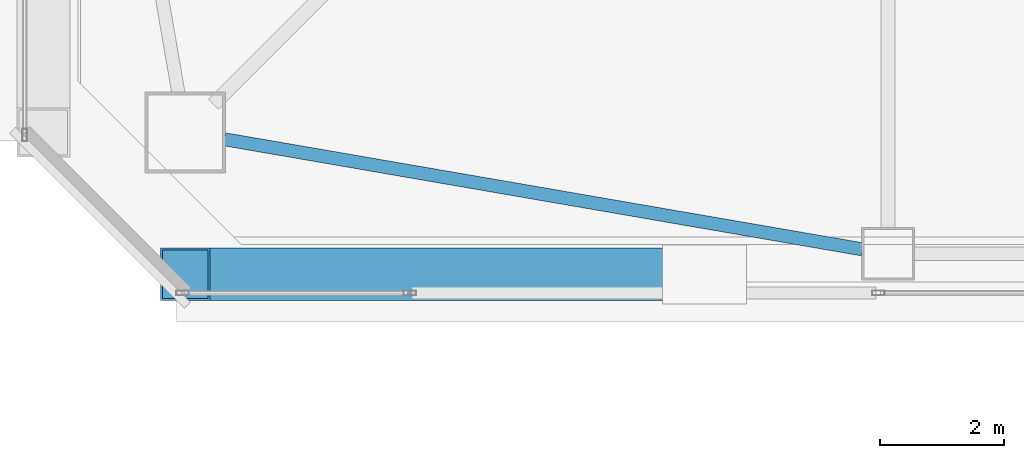
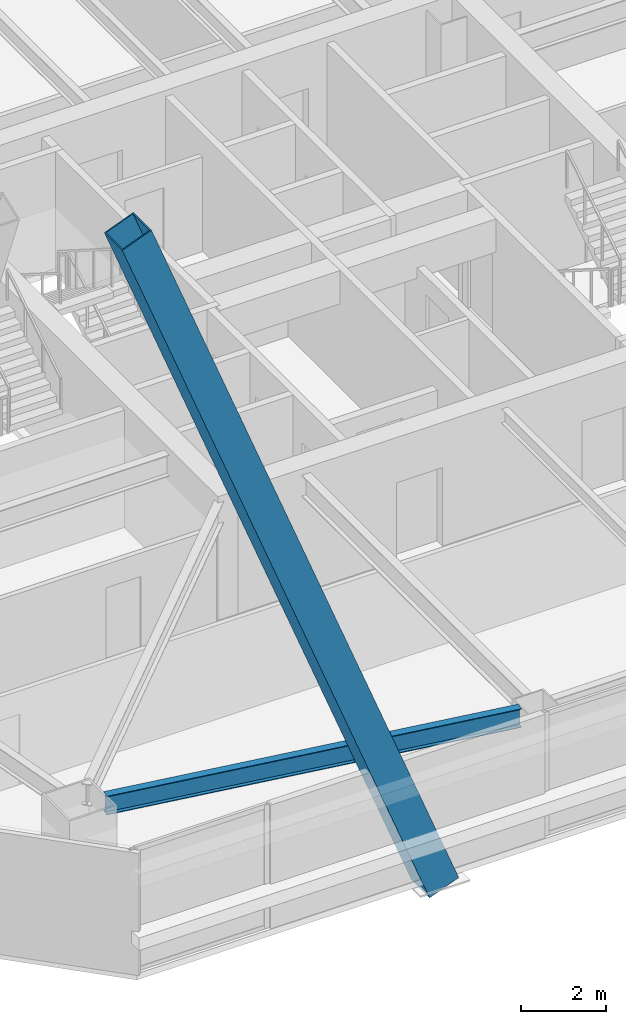
# One storey, part 4 of 54: 1 beam, 1 member.
"""IFC4 building model written with IfcOpenShell, lengths in metres."""

import ifcopenshell
import ifcopenshell.guid

model = None  # the IFC model being written
_history = None  # IfcOwnerHistory: only IFC2X3 demands one
_inside = {}  # id of a spatial element -> (the spatial element, [elements in it])
_under = {}  # id of a project, library or spatial element -> (it, [spatial elements below it])
_declared = {}  # id of a project -> (the project, [libraries it declares])
_typed = {}  # id of a type object -> (the type object, [elements of that type])
_made_of = {}  # id of a material, layer set ... -> (it, [elements and type objects made of it])


def new_model(schema):
    """Start an empty IFC model of exactly this schema.

    Asked for "IFC4X3", IfcOpenShell would pick the latest addendum, in which some entities
    have other attributes; the version numbers below select the first issue.
    IFC2X3 requires an IfcOwnerHistory on every rooted entity: one is made here for all.
    """
    global model, _history
    if schema == "IFC4X3":
        model = ifcopenshell.file(schema_version=(4, 3, 0, 0))
    else:
        model = ifcopenshell.file(schema=schema)
    _inside.clear()
    _under.clear()
    _declared.clear()
    _typed.clear()
    _made_of.clear()
    _history = None
    if model.schema == "IFC2X3":
        org = make("IfcOrganization", Name="unknown")
        user = make(
            "IfcPersonAndOrganization",
            ThePerson=make("IfcPerson", FamilyName="unknown"),
            TheOrganization=org,
        )
        app = make(
            "IfcApplication",
            ApplicationDeveloper=org,
            Version="unknown",
            ApplicationFullName="unknown",
            ApplicationIdentifier="unknown",
        )
        _history = make(
            "IfcOwnerHistory",
            OwningUser=user,
            OwningApplication=app,
            ChangeAction="ADDED",
            CreationDate=0,
        )
    return model


def make(cls, **values):
    """One entity of the class cls with the attributes given. An attribute that is None is left unset."""
    return model.create_entity(
        cls, **{name: value for name, value in values.items() if value is not None}
    )


def rooted(cls, **values):
    """An entity with a GlobalId (a new one), such as an element, a storey or a relation."""
    return make(cls, GlobalId=ifcopenshell.guid.new(), OwnerHistory=_history, **values)


def si_unit(unit_type, name, prefix=None):
    """IfcSIUnit, for example si_unit("LENGTHUNIT", "METRE", prefix="MILLI")."""
    return make("IfcSIUnit", UnitType=unit_type, Prefix=prefix, Name=name)


def assignment(units):
    """IfcUnitAssignment: the units of a project."""
    return None if units is None else make("IfcUnitAssignment", Units=units)


def point(xyz):
    """IfcCartesianPoint."""
    return None if xyz is None else make("IfcCartesianPoint", Coordinates=xyz)


def direction(xyz):
    """IfcDirection."""
    return None if xyz is None else make("IfcDirection", DirectionRatios=xyz)


def frame(location, z_axis=None, x_axis=None):
    """IfcAxis2Placement3D, a coordinate frame: its origin and axes. An axis left out is left unset."""
    return make(
        "IfcAxis2Placement3D",
        Location=point(location),
        Axis=direction(z_axis),
        RefDirection=direction(x_axis),
    )


def frame_2d(location, x_axis=None):
    """IfcAxis2Placement2D, a coordinate frame in the plane: its origin and x axis."""
    return make(
        "IfcAxis2Placement2D", Location=point(location), RefDirection=direction(x_axis)
    )


def origin():
    """The frame at (0, 0, 0) with its axes left unset."""
    return frame((0.0, 0.0, 0.0))


def origin_2d():
    """The frame at (0, 0) in the plane with its x axis left unset."""
    return frame_2d((0.0, 0.0))


def place(relative_to, where):
    """IfcLocalPlacement: puts the frame where relative to a parent placement (None: the world)."""
    return make(
        "IfcLocalPlacement", PlacementRelTo=relative_to, RelativePlacement=where
    )


def context(
    kind, dimensions, precision=None, world=None, true_north=None, identifier=None
):
    """IfcGeometricRepresentationContext, for example the 3D "Model" context."""
    return make(
        "IfcGeometricRepresentationContext",
        ContextIdentifier=identifier,
        ContextType=kind,
        CoordinateSpaceDimension=dimensions,
        Precision=precision,
        WorldCoordinateSystem=world,
        TrueNorth=true_north,
    )


def subcontext(parent, identifier, kind, view, scale=None):
    """IfcGeometricRepresentationSubContext, for example "Body" below "Model"."""
    return make(
        "IfcGeometricRepresentationSubContext",
        ContextIdentifier=identifier,
        ContextType=kind,
        ParentContext=parent,
        TargetScale=scale,
        TargetView=view,
    )


def project(units=None, contexts=None):
    """IfcProject with its units and contexts."""
    return rooted(
        "IfcProject",
        Name="project",
        RepresentationContexts=contexts,
        UnitsInContext=assignment(units),
    )


def spatial(cls, under=None, at=None, **own):
    """A site, building, storey or space (cls), placed at a placement, below another one or the project."""
    s = rooted(cls, ObjectPlacement=at, **own)
    if under is not None:
        _under.setdefault(under.id(), (under, []))[1].append(s)
    return s


def profile(cls, at=None, kind="AREA", **sizes):
    """A parametric profile (cls). Its sizes go by their IFC names, for example OverallWidth=200.0."""
    return make(cls, ProfileType=kind, Position=at, **sizes)


def hollow_rectangle(**sizes):
    """IfcRectangleHollowProfileDef."""
    return profile("IfcRectangleHollowProfileDef", **sizes)


def i_section(**sizes):
    """IfcIShapeProfileDef."""
    return profile("IfcIShapeProfileDef", **sizes)


def extrude(swept, where, along, depth):
    """IfcExtrudedAreaSolid: the profile swept, set in the frame where, extruded along a direction by depth."""
    return make(
        "IfcExtrudedAreaSolid",
        SweptArea=swept,
        Position=where,
        ExtrudedDirection=direction(along),
        Depth=depth,
    )


def shape(context_of_items, identifier, shape_type, items):
    """IfcShapeRepresentation: the items that make up one representation, for example the "Body"."""
    return make(
        "IfcShapeRepresentation",
        ContextOfItems=context_of_items,
        RepresentationIdentifier=identifier,
        RepresentationType=shape_type,
        Items=items,
    )


def material(Name=None, Category=None):
    """IfcMaterial."""
    return make("IfcMaterial", Name=Name, Category=Category)


def material_profile(
    of_material, cross_section, Name=None, Category=None, Priority=None
):
    """IfcMaterialProfile: a cross section and its material."""
    return make(
        "IfcMaterialProfile",
        Name=Name,
        Material=of_material,
        Profile=cross_section,
        Priority=Priority,
        Category=Category,
    )


def profile_set(profiles, Name=None, composite=None):
    """IfcMaterialProfileSet."""
    return make(
        "IfcMaterialProfileSet",
        Name=Name,
        MaterialProfiles=profiles,
        CompositeProfile=composite,
    )


def made_of(thing, what):
    """Note that an element or type object is made of a material, layer set ...; save() writes the relation."""
    if what is not None:
        _made_of.setdefault(what.id(), (what, []))[1].append(thing)
    return thing


def type_object(cls, material=None, **own):
    """A type object (cls), such as IfcWallType, which elements share."""
    return made_of(rooted(cls, **own), material)


def element(
    cls,
    number,
    at=None,
    inside=None,
    cuts=None,
    type_object=None,
    material=None,
    context=None,
    identifier="Body",
    shape_type=None,
    held_by="IfcProductDefinitionShape",
    body=None,
    shapes=None,
    **own,
):
    """One element of the class cls, such as IfcWall. Its Tag is "e" and its number.

    at: its placement. inside: the storey or other place that contains it. cuts: it is an
    opening in that element (IfcRelVoidsElement). A single representation is given by context,
    identifier, shape_type and body (its items); several are given by shapes. held_by: the class
    of the entity that holds the representations. save() writes the other relations.
    """
    e = rooted(cls, Tag="e%d" % number, ObjectPlacement=at, **own)
    if body is not None:
        shapes = [shape(context, identifier, shape_type, body)]
    if shapes is not None:
        e.Representation = make(held_by, Representations=shapes)
    if inside is not None:
        _inside.setdefault(inside.id(), (inside, []))[1].append(e)
    if cuts is not None:
        rooted(
            "IfcRelVoidsElement", RelatingBuildingElement=cuts, RelatedOpeningElement=e
        )
    if type_object is not None:
        _typed.setdefault(type_object.id(), (type_object, []))[1].append(e)
    return made_of(e, material)


def aggregate(whole, parts):
    """IfcRelAggregates: a whole, such as a stair, and the parts it consists of."""
    return rooted("IfcRelAggregates", RelatingObject=whole, RelatedObjects=parts)


def save(model, path):
    """Write the relations noted so far, then the file.

    IfcRelAggregates (storeys below a building ...), IfcRelContainedInSpatialStructure (elements
    in a storey), IfcRelDefinesByType, IfcRelAssociatesMaterial and IfcRelDeclares: one each for
    every whole, place, type object, material and project.
    """
    for whole, parts in _under.values():
        aggregate(whole, parts)
    for where, things in _inside.values():
        rooted(
            "IfcRelContainedInSpatialStructure",
            RelatedElements=things,
            RelatingStructure=where,
        )
    for kind, things in _typed.values():
        rooted("IfcRelDefinesByType", RelatedObjects=things, RelatingType=kind)
    for what, things in _made_of.values():
        rooted("IfcRelAssociatesMaterial", RelatedObjects=things, RelatingMaterial=what)
    for by, libraries in _declared.values():
        rooted("IfcRelDeclares", RelatingContext=by, RelatedDefinitions=libraries)
    model.write(path)


model = new_model("IFC4")

# Units and contexts
model_context = context("Model", 3, precision=1e-05, world=origin(), true_north=direction((0.0, 1.0)))
body_context = subcontext(model_context, "Body", "Model", "MODEL_VIEW")
ifc_project = project(units=[si_unit("LENGTHUNIT", "METRE"), si_unit("AREAUNIT", "SQUARE_METRE"), si_unit("VOLUMEUNIT", "CUBIC_METRE"), si_unit("PLANEANGLEUNIT", "RADIAN"), si_unit("MASSUNIT", "GRAM", prefix="KILO")], contexts=[model_context])

# Site, building, storey
site_placement = place(None, origin())
site = spatial("IfcSite", under=ifc_project, at=site_placement, CompositionType="ELEMENT")
building_placement = place(site_placement, origin())
building = spatial("IfcBuilding", under=site, at=building_placement, Name="Tashvorn Skyway Center", CompositionType="ELEMENT")
storey_placement = place(building_placement, frame((0.0, 0.0, 135.699951171875)))
storey = spatial("IfcBuildingStorey", under=building, at=storey_placement, Name="L36", CompositionType="ELEMENT", Elevation=135.699951171875)

# Beam
ifc_material_1 = material(Name="Steel ASTM A992 Grade 50", Category="steel")
ifc_material_profile_1 = material_profile(ifc_material_1, i_section(OverallWidth=0.2109375, OverallDepth=0.5390625, WebThickness=0.01171875, FlangeThickness=0.018798828125, at=origin_2d()), Name="W21X73")
ifc_profile_set_1 = profile_set([ifc_material_profile_1], Name="Steel ASTM A992 Grade 50")
beam_type = type_object("IfcBeamType", Name="BM-SPANDREL-W21X73", PredefinedType="SPANDREL", material=ifc_profile_set_1)
beam_placement = place(storey_placement, frame((25.935546875, 15.1904296875, 3.1005859375), z_axis=(0.985432458462, -0.170067250846, 0.0), x_axis=(0.170067250846, 0.985432458462, 0.0)))
element("IfcBeam", 1, at=beam_placement, inside=storey, type_object=beam_type, Name="Tower 1 L36 Spandrel Beam 01", PredefinedType="SPANDREL", context=body_context, shape_type="SweptSolid", body=[
    extrude(i_section(OverallWidth=0.2109375, OverallDepth=0.5390625, WebThickness=0.01171875, FlangeThickness=0.018798828125, at=origin_2d()), origin(), (0.0, 0.0, 1.0), 10.402099609375),
])

# Member
ifc_material_2 = material(Name="Steel ASTM A572 Grade 50", Category="steel")
ifc_material_profile_2 = material_profile(ifc_material_2, hollow_rectangle(XDim=0.85009765625, YDim=0.85009765625, WallThickness=0.034912109375, at=origin_2d()), Name="BOX850x850x35")
ifc_profile_set_2 = profile_set([ifc_material_profile_2], Name="Steel ASTM A572 Grade 50")
member_type = type_object("IfcMemberType", Name="MEM-MB-850", PredefinedType="BRACE", material=ifc_profile_set_2)
member_placement = place(storey_placement, frame((33.64990234375, 13.02001953125, -0.449951171875), z_axis=(-0.361729555394, 0.0, 0.932283073296), x_axis=(0.0, -1.0, 0.0)))
element("IfcMember", 2, at=member_placement, inside=storey, type_object=member_type, Name="Tower 1 Zone 3 S Chevron Mega-Brace L2", PredefinedType="BRACE", context=body_context, shape_type="SweptSolid", body=[
    extrude(hollow_rectangle(XDim=0.85009765625, YDim=0.85009765625, WallThickness=0.034912109375, at=origin_2d()), origin(), (0.0, 0.0, 1.0), 23.083251953125),
])

save(model, "model.ifc")
